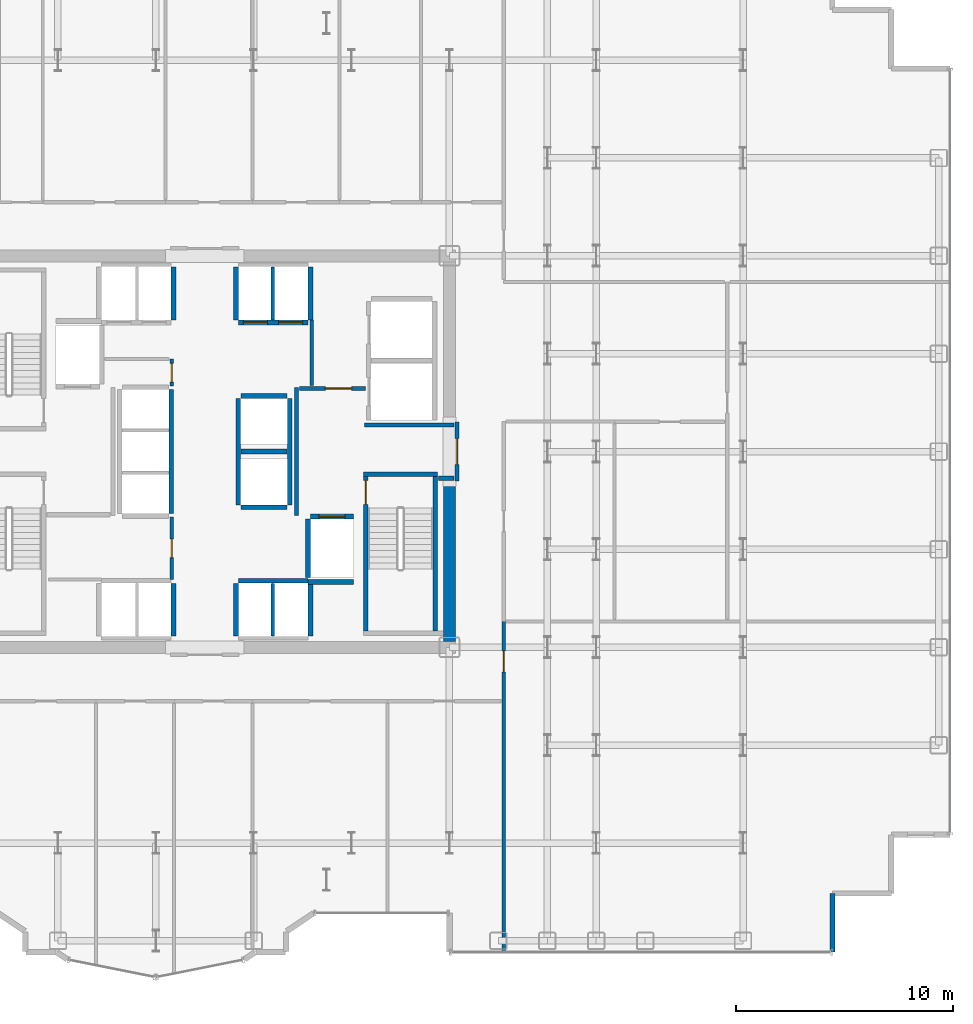
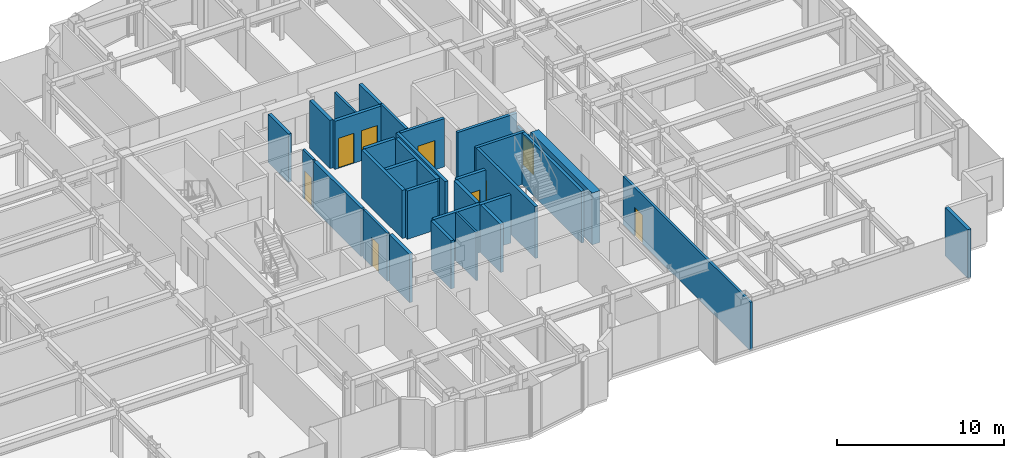
# One storey, part 22 of 26: 33 walls, 9 doors, 9 openings.
"""IFC4 building model written with IfcOpenShell, lengths in metres."""

from ifc_helpers import new_model, si_unit, direction, frame, frame_2d, origin, place, context, subcontext, project, spatial, rectangle, extrude, source, transform, mapped, material, layer, layer_set, type_object, element, fill, save


model = new_model("IFC4")

# Units and contexts
model_context = context("Model", 3, precision=1e-05, world=origin(), true_north=direction((0.0, 1.0)))
body_context = subcontext(model_context, "Body", "Model", "MODEL_VIEW")
ifc_project = project(units=[si_unit("LENGTHUNIT", "METRE"), si_unit("AREAUNIT", "SQUARE_METRE"), si_unit("VOLUMEUNIT", "CUBIC_METRE"), si_unit("PLANEANGLEUNIT", "RADIAN"), si_unit("MASSUNIT", "GRAM", prefix="KILO")], contexts=[model_context])

# Site, building, storey
site_placement = place(None, origin())
site = spatial("IfcSite", under=ifc_project, at=site_placement, CompositionType="ELEMENT")
building_placement = place(site_placement, origin())
building = spatial("IfcBuilding", under=site, at=building_placement, Name="Nefas-Gora Pilgrimage Tower", CompositionType="ELEMENT")
storey_placement = place(building_placement, frame((0.0, 0.0, 117.39990234375)))
storey = spatial("IfcBuildingStorey", under=building, at=storey_placement, Name="L28", CompositionType="ELEMENT", Elevation=117.39990234375)

# Walls
ifc_material_1 = material(Name="Concrete C60/75", Category="concrete")
ifc_layer_1 = layer(ifc_material_1, 0.550048828125)
ifc_layer_set_1 = layer_set([ifc_layer_1], Name="Concrete C60/75")
wall_type_1 = type_object("IfcWallType", Name="SW-CORE-550", PredefinedType="SHEAR", material=ifc_layer_set_1)
shared_shape_1 = source(origin(), body_context, "Body", "SweptSolid", [
    extrude(rectangle(XDim=7.375, YDim=0.550048828125, at=frame_2d((3.6875, 0.0))), origin(), (0.0, 0.0, 1.0), 3.800048828125),
])
wall_1_placement = place(storey_placement, frame((11.25, -8.72509765625, 0.0), z_axis=(0.0, 0.0, 1.0), x_axis=(0.0, 1.0, 0.0)))
element("IfcWall", 1, at=wall_1_placement, inside=storey, type_object=wall_type_1, Name="L28 Core Shear Wall E-South", PredefinedType="SHEAR", context=body_context, shape_type="MappedRepresentation", body=[
    mapped(shared_shape_1, transform((0.0, 0.0, 0.0), x_axis=(1.0, 0.0, 0.0), y_axis=(0.0, 1.0, 0.0), z_axis=(0.0, 0.0, 1.0), scale=1.0)),
])
ifc_material_2 = material(Name="Precast concrete C45/55", Category="concrete")
ifc_layer_2 = layer(ifc_material_2, 0.239990234375)
ifc_layer_set_2 = layer_set([ifc_layer_2], Name="Precast concrete C45/55")
wall_type_2 = type_object("IfcWallType", Name="EW-SERR-240", PredefinedType="SHEAR", material=ifc_layer_set_2)
shared_shape_2 = source(origin(), body_context, "Body", "SweptSolid", [
    extrude(rectangle(XDim=2.699951171875, YDim=0.239990234375, at=frame_2d((1.35009765625, 0.0))), origin(), (0.0, 0.0, 1.0), 3.550048828125),
])
wall_2_placement = place(storey_placement, frame((28.8701171875, -23.02001953125, 0.0), z_axis=(0.0, 0.0, 1.0), x_axis=(0.0, 1.0, 0.0)))
element("IfcWall", 2, at=wall_2_placement, inside=storey, type_object=wall_type_2, Name="L28 Serrated Corner Shear Pier Wall 2", PredefinedType="SHEAR", context=body_context, shape_type="MappedRepresentation", body=[
    mapped(shared_shape_2, transform((0.0, 0.0, 0.0), x_axis=(1.0, 0.0, 0.0), y_axis=(0.0, 1.0, 0.0), z_axis=(0.0, 0.0, 1.0), scale=1.0)),
])
ifc_material_3 = material(Name="Concrete C45/55", Category="concrete")
ifc_layer_3 = layer(ifc_material_3, 0.199951171875)
ifc_layer_set_3 = layer_set([ifc_layer_3], Name="Concrete C45/55")
wall_type_3 = type_object("IfcWallType", Name="IW-STAIR-200", PredefinedType="SOLIDWALL", material=ifc_layer_set_3)
shared_shape_3 = source(origin(), body_context, "Body", "SweptSolid", [
    extrude(rectangle(XDim=3.39990234375, YDim=0.199951171875, at=frame_2d((1.699951171875, 0.0))), origin(), (0.0, 0.0, 1.0), 3.800048828125),
])
wall_3_placement = place(storey_placement, frame((7.300048828125, -1.050048828125, 0.0), z_axis=(0.0, 0.0, 1.0), x_axis=(1.0, 0.0, 0.0)))
element("IfcWall", 3, at=wall_3_placement, inside=storey, type_object=wall_type_3, Name="L28 Stairwell Shear Wall ST-02-near", PredefinedType="SOLIDWALL", context=body_context, shape_type="MappedRepresentation", body=[
    mapped(shared_shape_3, transform((0.0, 0.0, 0.0), x_axis=(1.0, 0.0, 0.0), y_axis=(0.0, 1.0, 0.0), z_axis=(0.0, 0.0, 1.0), scale=1.0)),
])

# Wall, opening, door
shared_shape_4 = source(origin(), body_context, "Body", "SweptSolid", [
    extrude(rectangle(XDim=7.10009765625, YDim=0.199951171875, at=frame_2d((3.550048828125, 0.0))), origin(), (0.0, 0.0, 1.0), 3.800048828125),
])
wall_4_placement = place(storey_placement, frame((7.39990234375, -1.14990234375, 0.0), z_axis=(0.0, 0.0, 1.0), x_axis=(0.0, -1.0, 0.0)))
wall_4 = element("IfcWall", 4, at=wall_4_placement, inside=storey, type_object=wall_type_3, Name="L28 Stairwell Shear Wall ST-02-left", PredefinedType="SOLIDWALL", context=body_context, shape_type="MappedRepresentation", body=[
    mapped(shared_shape_4, transform((0.0, 0.0, 0.0), x_axis=(1.0, 0.0, 0.0), y_axis=(0.0, 1.0, 0.0), z_axis=(0.0, 0.0, 1.0), scale=1.0)),
])
opening_1_placement = place(wall_4_placement, frame((0.179931640625, 0.0, 0.0)))
opening_1 = element("IfcOpeningElement", 5, at=opening_1_placement, cuts=wall_4, Name="Opening ID-ST1", PredefinedType="OPENING", context=body_context, shape_type="SweptSolid", body=[
    extrude(rectangle(XDim=1.10009765625, YDim=2.14990234375, at=frame_2d((0.550048828125, 1.074951171875))), frame((0.0, 0.10986328125, 0.0), z_axis=(0.0, -1.0, 0.0), x_axis=(1.0, 0.0, 0.0)), (0.0, 0.0, 1.0), 0.219970703125),
])
ifc_material_4 = material(Name="Painted galvanised steel fire stair door", Category="steel")
door_type_1 = type_object("IfcDoorType", Name="DR-INT-STAIR-1100", OperationType="NOTDEFINED", PredefinedType="DOOR", material=ifc_material_4)
shared_shape_5 = source(origin(), body_context, "Body", "SweptSolid", [
    extrude(rectangle(XDim=1.10009765625, YDim=2.14990234375, at=frame_2d((0.550048828125, 1.074951171875))), frame((0.0, 0.02490234375, 0.0), z_axis=(0.0, -1.0, 0.0), x_axis=(1.0, 0.0, 0.0)), (0.0, 0.0, 1.0), 0.050048828125),
])
door_1_placement = place(opening_1_placement, origin())
door_1 = element("IfcDoor", 6, at=door_1_placement, inside=storey, type_object=door_type_1, Name="L28 Protected Exit Stair Door ST-02", OperationType="SINGLE_SWING_LEFT", OverallHeight=2.14990234375, OverallWidth=1.10009765625, PredefinedType="DOOR", context=body_context, shape_type="MappedRepresentation", body=[
    mapped(shared_shape_5, transform((0.0, 0.0, 0.0), x_axis=(1.0, 0.0, 0.0), y_axis=(0.0, 1.0, 0.0), z_axis=(0.0, 0.0, 1.0), scale=1.0)),
])
fill(opening_1, door_1)

# Wall
wall_5_placement = place(storey_placement, frame((10.60009765625, -1.14990234375, 0.0), z_axis=(0.0, 0.0, 1.0), x_axis=(0.0, -1.0, 0.0)))
element("IfcWall", 7, at=wall_5_placement, inside=storey, type_object=wall_type_3, Name="L28 Stairwell Shear Wall ST-02-right", PredefinedType="SOLIDWALL", context=body_context, shape_type="MappedRepresentation", body=[
    mapped(shared_shape_4, transform((0.0, 0.0, 0.0), x_axis=(1.0, 0.0, 0.0), y_axis=(0.0, 1.0, 0.0), z_axis=(0.0, 0.0, 1.0), scale=1.0)),
])

# Wall, opening, door
ifc_material_5 = material(Name="Concrete C40/50", Category="concrete")
ifc_layer_4 = layer(ifc_material_5, 0.219970703125)
ifc_layer_set_4 = layer_set([ifc_layer_4], Name="Concrete C40/50")
wall_type_4 = type_object("IfcWallType", Name="IW-SHAFT-220", PredefinedType="SOLIDWALL", material=ifc_layer_set_4)
shared_shape_6 = source(origin(), body_context, "Body", "SweptSolid", [
    extrude(rectangle(XDim=2.0, YDim=0.219970703125, at=frame_2d((1.0, 0.0))), origin(), (0.0, 0.0, 1.0), 3.53515625),
])
wall_6_placement = place(storey_placement, frame((6.85009765625, -2.989990234375, 0.0), z_axis=(0.0, 0.0, 1.0), x_axis=(-1.0, 0.0, 0.0)))
wall_6 = element("IfcWall", 8, at=wall_6_placement, inside=storey, type_object=wall_type_4, Name="L28 Hoistway Wall FFL-02-N", PredefinedType="SOLIDWALL", context=body_context, shape_type="MappedRepresentation", body=[
    mapped(shared_shape_6, transform((0.0, 0.0, 0.0), x_axis=(1.0, 0.0, 0.0), y_axis=(0.0, 1.0, 0.0), z_axis=(0.0, 0.0, 1.0), scale=1.0)),
])
opening_2_placement = place(wall_6_placement, frame((0.39990234375, 0.0, 0.0)))
opening_2 = element("IfcOpeningElement", 9, at=opening_2_placement, cuts=wall_6, Name="Opening LD-FF", PredefinedType="OPENING", context=body_context, shape_type="SweptSolid", body=[
    extrude(rectangle(XDim=1.199951171875, YDim=2.199951171875, at=frame_2d((0.60009765625, 1.10009765625))), frame((0.0, 0.119873046875, 0.0), z_axis=(0.0, -1.0, 0.0), x_axis=(1.0, 0.0, 0.0)), (0.0, 0.0, 1.0), 0.239990234375),
])
ifc_material_6 = material(Name="Fire-service sliding lift landing door")
door_type_2 = type_object("IfcDoorType", Name="DR-LIFT-FSAE-1200", OperationType="SLIDING_TO_LEFT", PredefinedType="DOOR", material=ifc_material_6)
shared_shape_7 = source(origin(), body_context, "Body", "SweptSolid", [
    extrude(rectangle(XDim=1.199951171875, YDim=2.199951171875, at=frame_2d((0.60009765625, 1.10009765625))), frame((0.0, 0.02490234375, 0.0), z_axis=(0.0, -1.0, 0.0), x_axis=(1.0, 0.0, 0.0)), (0.0, 0.0, 1.0), 0.050048828125),
])
door_2_placement = place(opening_2_placement, origin())
door_2 = element("IfcDoor", 10, at=door_2_placement, inside=storey, type_object=door_type_2, Name="L28 Sliding Lift Landing Door FFL-02", OperationType="SLIDING_TO_LEFT", OverallHeight=2.199951171875, OverallWidth=1.199951171875, PredefinedType="DOOR", context=body_context, shape_type="MappedRepresentation", body=[
    mapped(shared_shape_7, transform((0.0, 0.0, 0.0), x_axis=(1.0, 0.0, 0.0), y_axis=(0.0, 1.0, 0.0), z_axis=(0.0, 0.0, 1.0), scale=1.0)),
])
fill(opening_2, door_2)

# Wall
shared_shape_8 = source(origin(), body_context, "Body", "SweptSolid", [
    extrude(rectangle(XDim=2.679931640625, YDim=0.219970703125, at=frame_2d((1.33984375, 0.0))), origin(), (0.0, 0.0, 1.0), 3.53515625),
])
wall_7_placement = place(storey_placement, frame((4.739990234375, -3.110107421875, 0.0), z_axis=(0.0, 0.0, 1.0), x_axis=(0.0, -1.0, 0.0)))
element("IfcWall", 11, at=wall_7_placement, inside=storey, type_object=wall_type_4, Name="L28 Hoistway Wall FFL-02-W", PredefinedType="SOLIDWALL", context=body_context, shape_type="MappedRepresentation", body=[
    mapped(shared_shape_8, transform((0.0, 0.0, 0.0), x_axis=(1.0, 0.0, 0.0), y_axis=(0.0, 1.0, 0.0), z_axis=(0.0, 0.0, 1.0), scale=1.0)),
])

# Wall, openings, doors
shared_shape_9 = source(origin(), body_context, "Body", "SweptSolid", [
    extrude(rectangle(XDim=3.199951171875, YDim=0.219970703125, at=frame_2d((1.60009765625, 0.0))), origin(), (0.0, 0.0, 1.0), 3.53515625),
])
wall_8_placement = place(storey_placement, frame((1.550048828125, 5.93994140625, 0.0), z_axis=(0.0, 0.0, 1.0), x_axis=(1.0, 0.0, 0.0)))
wall_8 = element("IfcWall", 12, at=wall_8_placement, inside=storey, type_object=wall_type_4, Name="L28 Hoistway Wall PL1-E-S", PredefinedType="SOLIDWALL", context=body_context, shape_type="MappedRepresentation", body=[
    mapped(shared_shape_9, transform((0.0, 0.0, 0.0), x_axis=(1.0, 0.0, 0.0), y_axis=(0.0, 1.0, 0.0), z_axis=(0.0, 0.0, 1.0), scale=1.0)),
])
opening_3_placement = place(wall_8_placement, frame((0.22509765625, 0.0, 0.0)))
opening_3 = element("IfcOpeningElement", 13, at=opening_3_placement, cuts=wall_8, Name="Opening LD-01", PredefinedType="OPENING", context=body_context, shape_type="SweptSolid", body=[
    extrude(rectangle(XDim=1.10009765625, YDim=2.199951171875, at=frame_2d((0.550048828125, 1.10009765625))), frame((0.0, 0.119873046875, 0.0), z_axis=(0.0, -1.0, 0.0), x_axis=(1.0, 0.0, 0.0)), (0.0, 0.0, 1.0), 0.239990234375),
])
opening_4_placement = place(wall_8_placement, frame((1.85009765625, 0.0, 0.0)))
opening_4 = element("IfcOpeningElement", 14, at=opening_4_placement, cuts=wall_8, Name="Opening LD-01", PredefinedType="OPENING", context=body_context, shape_type="SweptSolid", body=[
    extrude(rectangle(XDim=1.10009765625, YDim=2.199951171875, at=frame_2d((0.550048828125, 1.10009765625))), frame((0.0, 0.119873046875, 0.0), z_axis=(0.0, -1.0, 0.0), x_axis=(1.0, 0.0, 0.0)), (0.0, 0.0, 1.0), 0.239990234375),
])
ifc_material_7 = material(Name="Brushed stainless sliding lift landing door")
door_type_3 = type_object("IfcDoorType", Name="DR-LIFT-PASS-1100", OperationType="DOUBLE_DOOR_SLIDING", PredefinedType="DOOR", material=ifc_material_7)
shared_shape_10 = source(origin(), body_context, "Body", "SweptSolid", [
    extrude(rectangle(XDim=1.10009765625, YDim=2.199951171875, at=frame_2d((0.550048828125, 1.10009765625))), frame((0.0, 0.02490234375, 0.0), z_axis=(0.0, -1.0, 0.0), x_axis=(1.0, 0.0, 0.0)), (0.0, 0.0, 1.0), 0.050048828125),
])
door_3_placement = place(opening_3_placement, origin())
door_3 = element("IfcDoor", 15, at=door_3_placement, inside=storey, type_object=door_type_3, Name="L28 Sliding Lift Landing Door PL1-03", OperationType="DOUBLE_DOOR_SLIDING", OverallHeight=2.199951171875, OverallWidth=1.10009765625, PredefinedType="DOOR", context=body_context, shape_type="MappedRepresentation", body=[
    mapped(shared_shape_10, transform((0.0, 0.0, 0.0), x_axis=(1.0, 0.0, 0.0), y_axis=(0.0, 1.0, 0.0), z_axis=(0.0, 0.0, 1.0), scale=1.0)),
])
fill(opening_3, door_3)
door_4_placement = place(opening_4_placement, origin())
door_4 = element("IfcDoor", 16, at=door_4_placement, inside=storey, type_object=door_type_3, Name="L28 Sliding Lift Landing Door PL1-04", OperationType="DOUBLE_DOOR_SLIDING", OverallHeight=2.199951171875, OverallWidth=1.10009765625, PredefinedType="DOOR", context=body_context, shape_type="MappedRepresentation", body=[
    mapped(shared_shape_10, transform((0.0, 0.0, 0.0), x_axis=(1.0, 0.0, 0.0), y_axis=(0.0, 1.0, 0.0), z_axis=(0.0, 0.0, 1.0), scale=1.0)),
])
fill(opening_4, door_4)

# Walls
wall_9_placement = place(storey_placement, frame((4.75, -5.93994140625, 0.0), z_axis=(0.0, 0.0, 1.0), x_axis=(-1.0, 0.0, 0.0)))
element("IfcWall", 17, at=wall_9_placement, inside=storey, type_object=wall_type_4, Name="L28 Hoistway Wall PL2-E-N", PredefinedType="SOLIDWALL", context=body_context, shape_type="MappedRepresentation", body=[
    mapped(shared_shape_9, transform((0.0, 0.0, 0.0), x_axis=(1.0, 0.0, 0.0), y_axis=(0.0, 1.0, 0.0), z_axis=(0.0, 0.0, 1.0), scale=1.0)),
])
shared_shape_11 = source(origin(), body_context, "Body", "SweptSolid", [
    extrude(rectangle(XDim=2.429931640625, YDim=0.219970703125, at=frame_2d((1.21484375, 0.0))), origin(), (0.0, 0.0, 1.0), 3.53515625),
])
for number, where, z_axis, x_axis, name in (
    (18, (-1.43994140625, 6.06005859375, 0.0), (0.0, 0.0, 1.0), (0.0, 1.0, 0.0), "L28 Hoistway Wall PL1-W-E"),
    (19, (1.43994140625, 8.489990234375, 0.0), (0.0, 0.0, 1.0), (0.0, -1.0, 0.0), "L28 Hoistway Wall PL1-E-W"),
    (20, (4.860107421875, 6.06005859375, 0.0), (0.0, 0.0, 1.0), (0.0, 1.0, 0.0), "L28 Hoistway Wall PL1-E-E"),
    (21, (-1.43994140625, -8.489990234375, 0.0), (0.0, 0.0, 1.0), (0.0, 1.0, 0.0), "L28 Hoistway Wall PL2-W-E"),
    (22, (1.43994140625, -6.06005859375, 0.0), (0.0, 0.0, 1.0), (0.0, -1.0, 0.0), "L28 Hoistway Wall PL2-E-W"),
    (23, (4.860107421875, -8.489990234375, 0.0), (0.0, 0.0, 1.0), (0.0, 1.0, 0.0), "L28 Hoistway Wall PL2-E-E"),
):
    element("IfcWall", number, at=place(storey_placement, frame(where, z_axis=z_axis, x_axis=x_axis)), inside=storey, type_object=wall_type_4, Name=name, PredefinedType="SOLIDWALL", context=body_context, shape_type="MappedRepresentation", body=[
        mapped(shared_shape_11, transform((0.0, 0.0, 0.0), x_axis=(1.0, 0.0, 0.0), y_axis=(0.0, 1.0, 0.0), z_axis=(0.0, 0.0, 1.0), scale=1.0)),
    ])
ifc_material_8 = material(Name="Gypsum twin-stud partition")
ifc_layer_5 = layer(ifc_material_8, 0.139892578125)
ifc_layer_set_5 = layer_set([ifc_layer_5], Name="Gypsum twin-stud partition")
wall_type_5 = type_object("IfcWallType", Name="IW-UNIT-140", PredefinedType="PARTITIONING", material=ifc_layer_set_5)
shared_shape_12 = source(origin(), body_context, "Body", "SweptSolid", [
    extrude(rectangle(XDim=2.429931640625, YDim=0.139892578125, at=frame_2d((1.21484375, 0.0))), origin(), (0.0, 0.0, 1.0), 3.53515625),
])
for number, where, z_axis, x_axis, name in (
    (24, (3.125, 6.06005859375, 0.0), (0.0, 0.0, 1.0), (0.0, 1.0, 0.0), "L28 Hoistway Wall PL1-E-DIV"),
    (25, (3.125, -8.489990234375, 0.0), (0.0, 0.0, 1.0), (0.0, 1.0, 0.0), "L28 Hoistway Wall PL2-E-DIV"),
):
    element("IfcWall", number, at=place(storey_placement, frame(where, z_axis=z_axis, x_axis=x_axis)), inside=storey, type_object=wall_type_5, Name=name, PredefinedType="PARTITIONING", context=body_context, shape_type="MappedRepresentation", body=[
        mapped(shared_shape_12, transform((0.0, 0.0, 0.0), x_axis=(1.0, 0.0, 0.0), y_axis=(0.0, 1.0, 0.0), z_axis=(0.0, 0.0, 1.0), scale=1.0)),
    ])
shared_shape_13 = source(origin(), body_context, "Body", "SweptSolid", [
    extrude(rectangle(XDim=5.7001953125, YDim=0.219970703125, at=frame_2d((2.85009765625, 0.0))), origin(), (0.0, 0.0, 1.0), 3.53515625),
])
wall_10_placement = place(storey_placement, frame((-1.5400390625, -2.85009765625, 0.0), z_axis=(0.0, 0.0, 1.0), x_axis=(0.0, 1.0, 0.0)))
element("IfcWall", 26, at=wall_10_placement, inside=storey, type_object=wall_type_4, Name="L28 Hoistway Wall PL3-01-03-E", PredefinedType="SOLIDWALL", context=body_context, shape_type="MappedRepresentation", body=[
    mapped(shared_shape_13, transform((0.0, 0.0, 0.0), x_axis=(1.0, 0.0, 0.0), y_axis=(0.0, 1.0, 0.0), z_axis=(0.0, 0.0, 1.0), scale=1.0)),
])
shared_shape_14 = source(origin(), body_context, "Body", "SweptSolid", [
    extrude(rectangle(XDim=2.130126953125, YDim=0.219970703125, at=frame_2d((1.06494140625, 0.0))), origin(), (0.0, 0.0, 1.0), 3.53515625),
])
for number, where, z_axis, x_axis, name in (
    (27, (1.659912109375, -2.56005859375, 0.0), (0.0, 0.0, 1.0), (1.0, 0.0, 0.0), "L28 Hoistway Wall OBS-01-S"),
    (28, (1.659912109375, 0.0, 0.0), (0.0, 0.0, 1.0), (1.0, 0.0, 0.0), "L28 Hoistway Wall OBS-01-02-DIV"),
    (29, (3.7900390625, 2.56005859375, 0.0), (0.0, 0.0, 1.0), (-1.0, 0.0, 0.0), "L28 Hoistway Wall OBS-02-N"),
):
    element("IfcWall", number, at=place(storey_placement, frame(where, z_axis=z_axis, x_axis=x_axis)), inside=storey, type_object=wall_type_4, Name=name, PredefinedType="SOLIDWALL", context=body_context, shape_type="MappedRepresentation", body=[
        mapped(shared_shape_14, transform((0.0, 0.0, 0.0), x_axis=(1.0, 0.0, 0.0), y_axis=(0.0, 1.0, 0.0), z_axis=(0.0, 0.0, 1.0), scale=1.0)),
    ])
shared_shape_15 = source(origin(), body_context, "Body", "SweptSolid", [
    extrude(rectangle(XDim=4.89990234375, YDim=0.219970703125, at=frame_2d((2.449951171875, 0.0))), origin(), (0.0, 0.0, 1.0), 3.53515625),
])
for number, where, z_axis, x_axis, name in (
    (30, (1.5400390625, 2.449951171875, 0.0), (0.0, 0.0, 1.0), (0.0, -1.0, 0.0), "L28 Hoistway Wall OBS-01-02-W"),
    (31, (3.909912109375, -2.449951171875, 0.0), (0.0, 0.0, 1.0), (0.0, 1.0, 0.0), "L28 Hoistway Wall OBS-01-02-E"),
):
    element("IfcWall", number, at=place(storey_placement, frame(where, z_axis=z_axis, x_axis=x_axis)), inside=storey, type_object=wall_type_4, Name=name, PredefinedType="SOLIDWALL", context=body_context, shape_type="MappedRepresentation", body=[
        mapped(shared_shape_15, transform((0.0, 0.0, 0.0), x_axis=(1.0, 0.0, 0.0), y_axis=(0.0, 1.0, 0.0), z_axis=(0.0, 0.0, 1.0), scale=1.0)),
    ])

# Wall, opening, door
ifc_material_9 = material(Name="Gypsum fire-rated shaftwall")
ifc_layer_6 = layer(ifc_material_9, 0.199951171875)
ifc_layer_set_6 = layer_set([ifc_layer_6], Name="Gypsum fire-rated shaftwall")
wall_type_6 = type_object("IfcWallType", Name="IW-FFLOB-200", PredefinedType="PARTITIONING", material=ifc_layer_set_6)
shared_shape_16 = source(origin(), body_context, "Body", "SweptSolid", [
    extrude(rectangle(XDim=2.7001953125, YDim=0.199951171875, at=frame_2d((1.35009765625, 0.0))), origin(), (0.0, 0.0, 1.0), 2.425048828125),
])
wall_11_placement = place(storey_placement, frame((11.60009765625, -1.35009765625, 0.0), z_axis=(0.0, 0.0, 1.0), x_axis=(0.0, 1.0, 0.0)))
wall_11 = element("IfcWall", 32, at=wall_11_placement, inside=storey, type_object=wall_type_6, Name="L28 FF Lobby East Portal Wall 8", PredefinedType="PARTITIONING", context=body_context, shape_type="MappedRepresentation", body=[
    mapped(shared_shape_16, transform((0.0, 0.0, 0.0), x_axis=(1.0, 0.0, 0.0), y_axis=(0.0, 1.0, 0.0), z_axis=(0.0, 0.0, 1.0), scale=1.0)),
])
opening_5_placement = place(wall_11_placement, frame((0.75, 0.0, 0.0)))
opening_5 = element("IfcOpeningElement", 33, at=opening_5_placement, cuts=wall_11, Name="Opening ID-FF1", PredefinedType="OPENING", context=body_context, shape_type="SweptSolid", body=[
    extrude(rectangle(XDim=1.199951171875, YDim=2.14990234375, at=frame_2d((0.60009765625, 1.074951171875))), frame((0.0, 0.10986328125, 0.0), z_axis=(0.0, -1.0, 0.0), x_axis=(1.0, 0.0, 0.0)), (0.0, 0.0, 1.0), 0.219970703125),
])
ifc_material_10 = material(Name="Smoke-sealed steel firefighting lobby door", Category="steel")
door_type_4 = type_object("IfcDoorType", Name="DR-INT-FFLOB-1200", OperationType="NOTDEFINED", PredefinedType="DOOR", material=ifc_material_10)
shared_shape_17 = source(origin(), body_context, "Body", "SweptSolid", [
    extrude(rectangle(XDim=1.199951171875, YDim=2.14990234375, at=frame_2d((0.60009765625, 1.074951171875))), frame((0.0, 0.02490234375, 0.0), z_axis=(0.0, -1.0, 0.0), x_axis=(1.0, 0.0, 0.0)), (0.0, 0.0, 1.0), 0.050048828125),
])
door_5_placement = place(opening_5_placement, origin())
door_5 = element("IfcDoor", 34, at=door_5_placement, inside=storey, type_object=door_type_4, Name="L28 FF Lobby East Portal Door 2", OperationType="SINGLE_SWING_LEFT", OverallHeight=2.14990234375, OverallWidth=1.199951171875, PredefinedType="DOOR", context=body_context, shape_type="MappedRepresentation", body=[
    mapped(shared_shape_17, transform((0.0, 0.0, 0.0), x_axis=(1.0, 0.0, 0.0), y_axis=(0.0, 1.0, 0.0), z_axis=(0.0, 0.0, 1.0), scale=1.0)),
])
fill(opening_5, door_5)

# Walls
shared_shape_18 = source(origin(), body_context, "Body", "SweptSolid", [
    extrude(rectangle(XDim=2.09521484375, YDim=0.219970703125, at=frame_2d((1.047607421875, 0.0))), origin(), (0.0, 0.0, 1.0), 3.53515625),
])
wall_12_placement = place(storey_placement, frame((4.7548828125, -6.0, 0.0), z_axis=(0.0, 0.0, 1.0), x_axis=(1.0, 0.0, 0.0)))
element("IfcWall", 35, at=wall_12_placement, inside=storey, type_object=wall_type_4, Name="L28 Riser Shaft Wall 2", PredefinedType="SOLIDWALL", context=body_context, shape_type="MappedRepresentation", body=[
    mapped(shared_shape_18, transform((0.0, 0.0, 0.0), x_axis=(1.0, 0.0, 0.0), y_axis=(0.0, 1.0, 0.0), z_axis=(0.0, 0.0, 1.0), scale=1.0)),
])
shared_shape_19 = source(origin(), body_context, "Body", "SweptSolid", [
    extrude(rectangle(XDim=5.89990234375, YDim=0.199951171875, at=frame_2d((2.949951171875, 0.0))), origin(), (0.0, 0.0, 1.0), 3.53515625),
])
wall_13_placement = place(storey_placement, frame((4.219970703125, -2.949951171875, 0.0), z_axis=(0.0, 0.0, 1.0), x_axis=(0.0, 1.0, 0.0)))
element("IfcWall", 36, at=wall_13_placement, inside=storey, type_object=wall_type_6, Name="L28 FF Lobby East Inner Wall Wall 9", PredefinedType="PARTITIONING", context=body_context, shape_type="MappedRepresentation", body=[
    mapped(shared_shape_19, transform((0.0, 0.0, 0.0), x_axis=(1.0, 0.0, 0.0), y_axis=(0.0, 1.0, 0.0), z_axis=(0.0, 0.0, 1.0), scale=1.0)),
])
shared_shape_20 = source(origin(), body_context, "Body", "SweptSolid", [
    extrude(rectangle(XDim=0.719970703125, YDim=0.199951171875, at=frame_2d((0.35986328125, 0.0))), origin(), (0.0, 0.0, 1.0), 3.53515625),
])
wall_14_placement = place(storey_placement, frame((10.739990234375, -1.219970703125, 0.0), z_axis=(0.0, 0.0, 1.0), x_axis=(1.0, 0.0, 0.0)))
element("IfcWall", 37, at=wall_14_placement, inside=storey, type_object=wall_type_6, Name="L28 FF Lobby East Throat S Wall 12", PredefinedType="PARTITIONING", context=body_context, shape_type="MappedRepresentation", body=[
    mapped(shared_shape_20, transform((0.0, 0.0, 0.0), x_axis=(1.0, 0.0, 0.0), y_axis=(0.0, 1.0, 0.0), z_axis=(0.0, 0.0, 1.0), scale=1.0)),
])

# Wall, opening, door
shared_shape_21 = source(origin(), body_context, "Body", "SweptSolid", [
    extrude(rectangle(XDim=3.039794921875, YDim=0.199951171875, at=frame_2d((1.52001953125, 0.0))), origin(), (0.0, 0.0, 1.0), 3.53515625),
])
wall_15_placement = place(storey_placement, frame((4.360107421875, 2.89990234375, 0.0), z_axis=(0.0, 0.0, 1.0), x_axis=(1.0, 0.0, 0.0)))
wall_15 = element("IfcWall", 38, at=wall_15_placement, inside=storey, type_object=wall_type_6, Name="L28 FF Lobby East North Wall Wall 10", PredefinedType="PARTITIONING", context=body_context, shape_type="MappedRepresentation", body=[
    mapped(shared_shape_21, transform((0.0, 0.0, 0.0), x_axis=(1.0, 0.0, 0.0), y_axis=(0.0, 1.0, 0.0), z_axis=(0.0, 0.0, 1.0), scale=1.0)),
])
opening_6_placement = place(wall_15_placement, frame((1.18994140625, 0.0, 0.0)))
opening_6 = element("IfcOpeningElement", 39, at=opening_6_placement, cuts=wall_15, Name="Opening ID-PL1", PredefinedType="OPENING", context=body_context, shape_type="SweptSolid", body=[
    extrude(rectangle(XDim=1.199951171875, YDim=2.14990234375, at=frame_2d((0.60009765625, 1.074951171875))), frame((0.0, 0.10986328125, 0.0), z_axis=(0.0, -1.0, 0.0), x_axis=(1.0, 0.0, 0.0)), (0.0, 0.0, 1.0), 0.219970703125),
])
ifc_material_11 = material(Name="Heavy-duty steel plant room fire door", Category="steel")
door_type_5 = type_object("IfcDoorType", Name="DR-INT-PLANT-1200", OperationType="NOTDEFINED", PredefinedType="DOOR", material=ifc_material_11)
door_6_placement = place(opening_6_placement, origin())
door_6 = element("IfcDoor", 40, at=door_6_placement, inside=storey, type_object=door_type_5, Name="L28 Service Lift Lobby Door Door 3", OperationType="SINGLE_SWING_RIGHT", OverallHeight=2.14990234375, OverallWidth=1.199951171875, PredefinedType="DOOR", context=body_context, shape_type="MappedRepresentation", body=[
    mapped(shared_shape_17, transform((0.0, 0.0, 0.0), x_axis=(1.0, 0.0, 0.0), y_axis=(0.0, 1.0, 0.0), z_axis=(0.0, 0.0, 1.0), scale=1.0)),
])
fill(opening_6, door_6)

# Walls
shared_shape_22 = source(origin(), body_context, "Body", "SweptSolid", [
    extrude(rectangle(XDim=4.10986328125, YDim=0.199951171875, at=frame_2d((2.054931640625, 0.0))), origin(), (0.0, 0.0, 1.0), 3.53515625),
])
wall_16_placement = place(storey_placement, frame((7.35009765625, 1.219970703125, 0.0), z_axis=(0.0, 0.0, 1.0), x_axis=(1.0, 0.0, 0.0)))
element("IfcWall", 41, at=wall_16_placement, inside=storey, type_object=wall_type_6, Name="L28 FF Lobby East Throat N Wall 11", PredefinedType="PARTITIONING", context=body_context, shape_type="MappedRepresentation", body=[
    mapped(shared_shape_22, transform((0.0, 0.0, 0.0), x_axis=(1.0, 0.0, 0.0), y_axis=(0.0, 1.0, 0.0), z_axis=(0.0, 0.0, 1.0), scale=1.0)),
])
ifc_material_12 = material(Name="Gypsum acoustic stud partition")
ifc_layer_7 = layer(ifc_material_12, 0.159912109375)
ifc_layer_set_7 = layer_set([ifc_layer_7], Name="Gypsum acoustic stud partition")
wall_type_7 = type_object("IfcWallType", Name="IW-CORR-160", PredefinedType="PARTITIONING", material=ifc_layer_set_7)
shared_shape_23 = source(origin(), body_context, "Body", "SweptSolid", [
    extrude(rectangle(XDim=3.014892578125, YDim=0.159912109375, at=frame_2d((1.50732421875, 0.0))), origin(), (0.0, 0.0, 1.0), 3.53515625),
])
wall_17_placement = place(storey_placement, frame((4.919921875, 3.0400390625, 0.0), z_axis=(0.0, 0.0, 1.0), x_axis=(0.0, 1.0, 0.0)))
element("IfcWall", 42, at=wall_17_placement, inside=storey, type_object=wall_type_7, Name="L28 Service Lift Lobby West Wall Wall 15", PredefinedType="PARTITIONING", context=body_context, shape_type="MappedRepresentation", body=[
    mapped(shared_shape_23, transform((0.0, 0.0, 0.0), x_axis=(1.0, 0.0, 0.0), y_axis=(0.0, 1.0, 0.0), z_axis=(0.0, 0.0, 1.0), scale=1.0)),
])

# Wall, opening, door
shared_shape_24 = source(origin(), body_context, "Body", "SweptSolid", [
    extrude(rectangle(XDim=1.25, YDim=0.159912109375, at=frame_2d((0.625, 0.0))), origin(), (0.0, 0.0, 1.0), 3.53515625),
])
wall_18_placement = place(storey_placement, frame((-1.52001953125, 3.010009765625, 0.0), z_axis=(0.0, 0.0, 1.0), x_axis=(0.0, 1.0, 0.0)))
wall_18 = element("IfcWall", 43, at=wall_18_placement, inside=storey, type_object=wall_type_7, Name="L28 Housekeeping and Linen Store Wall 16", PredefinedType="PARTITIONING", context=body_context, shape_type="MappedRepresentation", body=[
    mapped(shared_shape_24, transform((0.0, 0.0, 0.0), x_axis=(1.0, 0.0, 0.0), y_axis=(0.0, 1.0, 0.0), z_axis=(0.0, 0.0, 1.0), scale=1.0)),
])
opening_7_placement = place(wall_18_placement, frame((0.199951171875, 0.0, 0.0)))
opening_7 = element("IfcOpeningElement", 44, at=opening_7_placement, cuts=wall_18, Name="Opening ID-BT1", PredefinedType="OPENING", context=body_context, shape_type="SweptSolid", body=[
    extrude(rectangle(XDim=0.85009765625, YDim=2.10009765625, at=frame_2d((0.425048828125, 1.050048828125))), frame((0.0, 0.08984375, 0.0), z_axis=(0.0, -1.0, 0.0), x_axis=(1.0, 0.0, 0.0)), (0.0, 0.0, 1.0), 0.179931640625),
])
ifc_material_13 = material(Name="Moisture-resistant fire-rated timber door", Category="wood")
door_type_6 = type_object("IfcDoorType", Name="DR-INT-BATH-850", OperationType="NOTDEFINED", PredefinedType="DOOR", material=ifc_material_13)
shared_shape_25 = source(origin(), body_context, "Body", "SweptSolid", [
    extrude(rectangle(XDim=0.85009765625, YDim=2.10009765625, at=frame_2d((0.425048828125, 1.050048828125))), frame((0.0, 0.02490234375, 0.0), z_axis=(0.0, -1.0, 0.0), x_axis=(1.0, 0.0, 0.0)), (0.0, 0.0, 1.0), 0.050048828125),
])
door_7_placement = place(opening_7_placement, origin())
door_7 = element("IfcDoor", 45, at=door_7_placement, inside=storey, type_object=door_type_6, Name="L28 Housekeeping and Linen Store Door 6", OperationType="SINGLE_SWING_LEFT", OverallHeight=2.10009765625, OverallWidth=0.85009765625, PredefinedType="DOOR", context=body_context, shape_type="MappedRepresentation", body=[
    mapped(shared_shape_25, transform((0.0, 0.0, 0.0), x_axis=(1.0, 0.0, 0.0), y_axis=(0.0, 1.0, 0.0), z_axis=(0.0, 0.0, 1.0), scale=1.0)),
])
fill(opening_7, door_7)

shared_shape_26 = source(origin(), body_context, "Body", "SweptSolid", [
    extrude(rectangle(XDim=2.8798828125, YDim=0.159912109375, at=frame_2d((1.43994140625, 0.0))), origin(), (0.0, 0.0, 1.0), 3.53515625),
])
wall_19_placement = place(storey_placement, frame((-1.52001953125, -5.889892578125, 0.0), z_axis=(0.0, 0.0, 1.0), x_axis=(0.0, 1.0, 0.0)))
wall_19 = element("IfcWall", 46, at=wall_19_placement, inside=storey, type_object=wall_type_7, Name="L28 Pilgrim Baggage and Gear Vault Wall 18", PredefinedType="PARTITIONING", context=body_context, shape_type="MappedRepresentation", body=[
    mapped(shared_shape_26, transform((0.0, 0.0, 0.0), x_axis=(1.0, 0.0, 0.0), y_axis=(0.0, 1.0, 0.0), z_axis=(0.0, 0.0, 1.0), scale=1.0)),
])
opening_8_placement = place(wall_19_placement, frame((1.014892578125, 0.0, 0.0)))
opening_8 = element("IfcOpeningElement", 47, at=opening_8_placement, cuts=wall_19, Name="Opening ID-BT1", PredefinedType="OPENING", context=body_context, shape_type="SweptSolid", body=[
    extrude(rectangle(XDim=0.85009765625, YDim=2.10009765625, at=frame_2d((0.425048828125, 1.050048828125))), frame((0.0, 0.08984375, 0.0), z_axis=(0.0, -1.0, 0.0), x_axis=(1.0, 0.0, 0.0)), (0.0, 0.0, 1.0), 0.179931640625),
])
door_8_placement = place(opening_8_placement, origin())
door_8 = element("IfcDoor", 48, at=door_8_placement, inside=storey, type_object=door_type_6, Name="L28 Pilgrim Baggage and Gear Vault Door 7", OperationType="SINGLE_SWING_RIGHT", OverallHeight=2.10009765625, OverallWidth=0.85009765625, PredefinedType="DOOR", context=body_context, shape_type="MappedRepresentation", body=[
    mapped(shared_shape_25, transform((0.0, 0.0, 0.0), x_axis=(1.0, 0.0, 0.0), y_axis=(0.0, 1.0, 0.0), z_axis=(0.0, 0.0, 1.0), scale=1.0)),
])
fill(opening_8, door_8)

shared_shape_27 = source(origin(), body_context, "Body", "SweptSolid", [
    extrude(rectangle(XDim=15.2451171875, YDim=0.159912109375, at=frame_2d((7.62255859375, 0.0))), origin(), (0.0, 0.0, 1.0), 3.53515625),
])
wall_20_placement = place(storey_placement, frame((13.739990234375, -23.0400390625, 0.0), z_axis=(0.0, 0.0, 1.0), x_axis=(0.0, 1.0, 0.0)))
wall_20 = element("IfcWall", 49, at=wall_20_placement, inside=storey, type_object=wall_type_7, Name="L28 Pilgrim Fellowship Seminar Room Partition Wall 34", PredefinedType="PARTITIONING", context=body_context, shape_type="MappedRepresentation", body=[
    mapped(shared_shape_27, transform((0.0, 0.0, 0.0), x_axis=(1.0, 0.0, 0.0), y_axis=(0.0, 1.0, 0.0), z_axis=(0.0, 0.0, 1.0), scale=1.0)),
])
opening_9_placement = place(wall_20_placement, frame((12.91259765625, 0.0, 0.0)))
opening_9 = element("IfcOpeningElement", 50, at=opening_9_placement, cuts=wall_20, Name="Opening ID-GR1", PredefinedType="OPENING", context=body_context, shape_type="SweptSolid", body=[
    extrude(rectangle(XDim=0.949951171875, YDim=2.10009765625, at=frame_2d((0.47509765625, 1.050048828125))), frame((0.0, 0.08984375, 0.0), z_axis=(0.0, -1.0, 0.0), x_axis=(1.0, 0.0, 0.0)), (0.0, 0.0, 1.0), 0.179931640625),
])
ifc_material_14 = material(Name="Solid core oak fire-rated guest entrance door")
door_type_7 = type_object("IfcDoorType", Name="DR-INT-GUEST-950", OperationType="NOTDEFINED", PredefinedType="DOOR", material=ifc_material_14)
shared_shape_28 = source(origin(), body_context, "Body", "SweptSolid", [
    extrude(rectangle(XDim=0.949951171875, YDim=2.10009765625, at=frame_2d((0.47509765625, 1.050048828125))), frame((0.0, 0.02490234375, 0.0), z_axis=(0.0, -1.0, 0.0), x_axis=(1.0, 0.0, 0.0)), (0.0, 0.0, 1.0), 0.050048828125),
])
door_9_placement = place(opening_9_placement, origin())
door_9 = element("IfcDoor", 51, at=door_9_placement, inside=storey, type_object=door_type_7, Name="L28 Pilgrim Fellowship Seminar Room Door 15", OperationType="SINGLE_SWING_RIGHT", OverallHeight=2.10009765625, OverallWidth=0.949951171875, PredefinedType="DOOR", context=body_context, shape_type="MappedRepresentation", body=[
    mapped(shared_shape_28, transform((0.0, 0.0, 0.0), x_axis=(1.0, 0.0, 0.0), y_axis=(0.0, 1.0, 0.0), z_axis=(0.0, 0.0, 1.0), scale=1.0)),
])
fill(opening_9, door_9)

save(model, "model.ifc")
